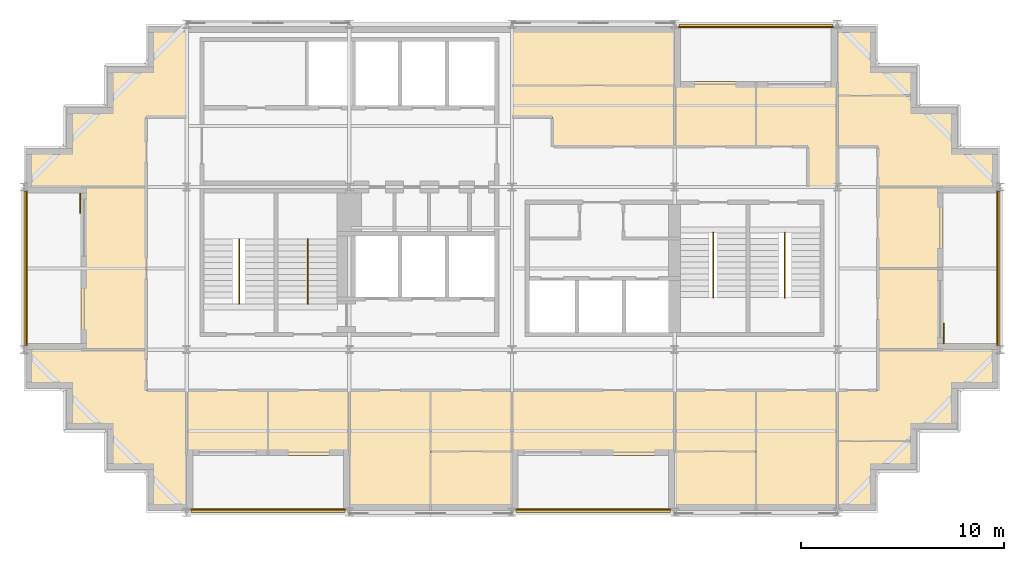
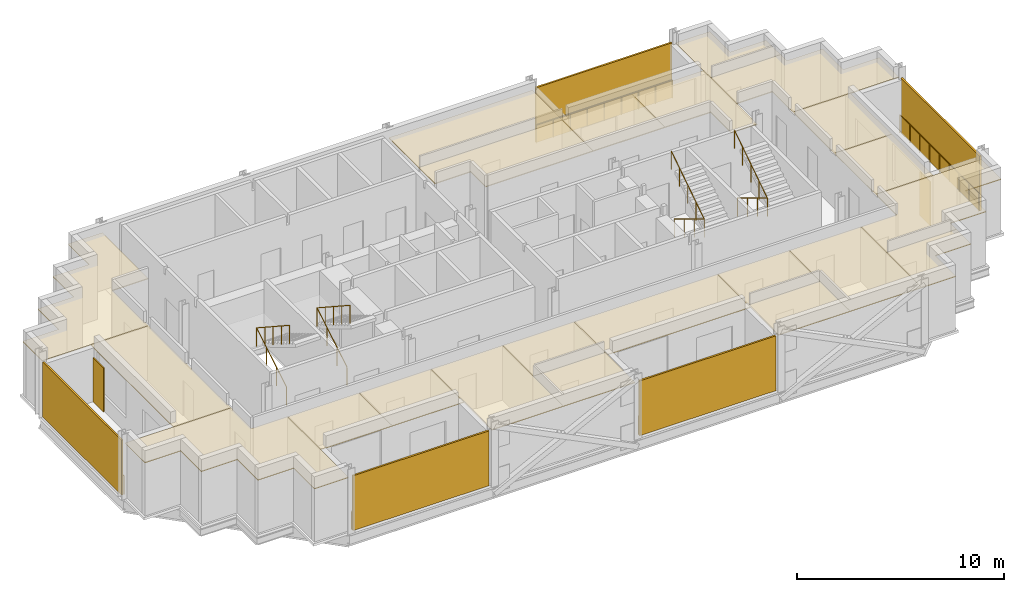
# One storey, part 9 of 9: 22 coverings, 9 railings, 7 shading devices.
"""IFC4 building model written with IfcOpenShell, lengths in metres."""

import ifcopenshell
import ifcopenshell.guid

model = None  # the IFC model being written
_history = None  # IfcOwnerHistory: only IFC2X3 demands one
_inside = {}  # id of a spatial element -> (the spatial element, [elements in it])
_under = {}  # id of a project, library or spatial element -> (it, [spatial elements below it])
_declared = {}  # id of a project -> (the project, [libraries it declares])
_typed = {}  # id of a type object -> (the type object, [elements of that type])
_made_of = {}  # id of a material, layer set ... -> (it, [elements and type objects made of it])


def new_model(schema):
    """Start an empty IFC model of exactly this schema.

    Asked for "IFC4X3", IfcOpenShell would pick the latest addendum, in which some entities
    have other attributes; the version numbers below select the first issue.
    IFC2X3 requires an IfcOwnerHistory on every rooted entity: one is made here for all.
    """
    global model, _history
    if schema == "IFC4X3":
        model = ifcopenshell.file(schema_version=(4, 3, 0, 0))
    else:
        model = ifcopenshell.file(schema=schema)
    _inside.clear()
    _under.clear()
    _declared.clear()
    _typed.clear()
    _made_of.clear()
    _history = None
    if model.schema == "IFC2X3":
        org = make("IfcOrganization", Name="unknown")
        user = make(
            "IfcPersonAndOrganization",
            ThePerson=make("IfcPerson", FamilyName="unknown"),
            TheOrganization=org,
        )
        app = make(
            "IfcApplication",
            ApplicationDeveloper=org,
            Version="unknown",
            ApplicationFullName="unknown",
            ApplicationIdentifier="unknown",
        )
        _history = make(
            "IfcOwnerHistory",
            OwningUser=user,
            OwningApplication=app,
            ChangeAction="ADDED",
            CreationDate=0,
        )
    return model


def make(cls, **values):
    """One entity of the class cls with the attributes given. An attribute that is None is left unset."""
    return model.create_entity(
        cls, **{name: value for name, value in values.items() if value is not None}
    )


def rooted(cls, **values):
    """An entity with a GlobalId (a new one), such as an element, a storey or a relation."""
    return make(cls, GlobalId=ifcopenshell.guid.new(), OwnerHistory=_history, **values)


def si_unit(unit_type, name, prefix=None):
    """IfcSIUnit, for example si_unit("LENGTHUNIT", "METRE", prefix="MILLI")."""
    return make("IfcSIUnit", UnitType=unit_type, Prefix=prefix, Name=name)


def assignment(units):
    """IfcUnitAssignment: the units of a project."""
    return None if units is None else make("IfcUnitAssignment", Units=units)


def point(xyz):
    """IfcCartesianPoint."""
    return None if xyz is None else make("IfcCartesianPoint", Coordinates=xyz)


def direction(xyz):
    """IfcDirection."""
    return None if xyz is None else make("IfcDirection", DirectionRatios=xyz)


def frame(location, z_axis=None, x_axis=None):
    """IfcAxis2Placement3D, a coordinate frame: its origin and axes. An axis left out is left unset."""
    return make(
        "IfcAxis2Placement3D",
        Location=point(location),
        Axis=direction(z_axis),
        RefDirection=direction(x_axis),
    )


def frame_2d(location, x_axis=None):
    """IfcAxis2Placement2D, a coordinate frame in the plane: its origin and x axis."""
    return make(
        "IfcAxis2Placement2D", Location=point(location), RefDirection=direction(x_axis)
    )


def origin():
    """The frame at (0, 0, 0) with its axes left unset."""
    return frame((0.0, 0.0, 0.0))


def origin_2d():
    """The frame at (0, 0) in the plane with its x axis left unset."""
    return frame_2d((0.0, 0.0))


def place(relative_to, where):
    """IfcLocalPlacement: puts the frame where relative to a parent placement (None: the world)."""
    return make(
        "IfcLocalPlacement", PlacementRelTo=relative_to, RelativePlacement=where
    )


def context(
    kind, dimensions, precision=None, world=None, true_north=None, identifier=None
):
    """IfcGeometricRepresentationContext, for example the 3D "Model" context."""
    return make(
        "IfcGeometricRepresentationContext",
        ContextIdentifier=identifier,
        ContextType=kind,
        CoordinateSpaceDimension=dimensions,
        Precision=precision,
        WorldCoordinateSystem=world,
        TrueNorth=true_north,
    )


def subcontext(parent, identifier, kind, view, scale=None):
    """IfcGeometricRepresentationSubContext, for example "Body" below "Model"."""
    return make(
        "IfcGeometricRepresentationSubContext",
        ContextIdentifier=identifier,
        ContextType=kind,
        ParentContext=parent,
        TargetScale=scale,
        TargetView=view,
    )


def project(units=None, contexts=None):
    """IfcProject with its units and contexts."""
    return rooted(
        "IfcProject",
        Name="project",
        RepresentationContexts=contexts,
        UnitsInContext=assignment(units),
    )


def spatial(cls, under=None, at=None, **own):
    """A site, building, storey or space (cls), placed at a placement, below another one or the project."""
    s = rooted(cls, ObjectPlacement=at, **own)
    if under is not None:
        _under.setdefault(under.id(), (under, []))[1].append(s)
    return s


def polyline(points):
    """IfcPolyline through the points."""
    return make("IfcPolyline", Points=[point(p) for p in points])


def profile(cls, at=None, kind="AREA", **sizes):
    """A parametric profile (cls). Its sizes go by their IFC names, for example OverallWidth=200.0."""
    return make(cls, ProfileType=kind, Position=at, **sizes)


def rectangle(**sizes):
    """IfcRectangleProfileDef."""
    return profile("IfcRectangleProfileDef", **sizes)


def circle(**sizes):
    """IfcCircleProfileDef."""
    return profile("IfcCircleProfileDef", **sizes)


def outline(outer, holes=None, kind="AREA"):
    """IfcArbitraryClosedProfileDef: a profile drawn as a closed curve; with holes, ...WithVoids."""
    if holes is None:
        return make("IfcArbitraryClosedProfileDef", ProfileType=kind, OuterCurve=outer)
    return make(
        "IfcArbitraryProfileDefWithVoids",
        ProfileType=kind,
        OuterCurve=outer,
        InnerCurves=holes,
    )


def extrude(swept, where, along, depth):
    """IfcExtrudedAreaSolid: the profile swept, set in the frame where, extruded along a direction by depth."""
    return make(
        "IfcExtrudedAreaSolid",
        SweptArea=swept,
        Position=where,
        ExtrudedDirection=direction(along),
        Depth=depth,
    )


def shape(context_of_items, identifier, shape_type, items):
    """IfcShapeRepresentation: the items that make up one representation, for example the "Body"."""
    return make(
        "IfcShapeRepresentation",
        ContextOfItems=context_of_items,
        RepresentationIdentifier=identifier,
        RepresentationType=shape_type,
        Items=items,
    )


def material(Name=None, Category=None):
    """IfcMaterial."""
    return make("IfcMaterial", Name=Name, Category=Category)


def layer(
    of_material, thickness, ventilated=None, Name=None, Category=None, Priority=None
):
    """IfcMaterialLayer: one layer of a wall or slab, of a material (None: an air gap)."""
    return make(
        "IfcMaterialLayer",
        Material=of_material,
        LayerThickness=thickness,
        IsVentilated=ventilated,
        Name=Name,
        Category=Category,
        Priority=Priority,
    )


def layer_set(layers, Name=None):
    """IfcMaterialLayerSet."""
    return make("IfcMaterialLayerSet", MaterialLayers=layers, LayerSetName=Name)


def made_of(thing, what):
    """Note that an element or type object is made of a material, layer set ...; save() writes the relation."""
    if what is not None:
        _made_of.setdefault(what.id(), (what, []))[1].append(thing)
    return thing


def type_object(cls, material=None, **own):
    """A type object (cls), such as IfcWallType, which elements share."""
    return made_of(rooted(cls, **own), material)


def element(
    cls,
    number,
    at=None,
    inside=None,
    cuts=None,
    type_object=None,
    material=None,
    context=None,
    identifier="Body",
    shape_type=None,
    held_by="IfcProductDefinitionShape",
    body=None,
    shapes=None,
    **own,
):
    """One element of the class cls, such as IfcWall. Its Tag is "e" and its number.

    at: its placement. inside: the storey or other place that contains it. cuts: it is an
    opening in that element (IfcRelVoidsElement). A single representation is given by context,
    identifier, shape_type and body (its items); several are given by shapes. held_by: the class
    of the entity that holds the representations. save() writes the other relations.
    """
    e = rooted(cls, Tag="e%d" % number, ObjectPlacement=at, **own)
    if body is not None:
        shapes = [shape(context, identifier, shape_type, body)]
    if shapes is not None:
        e.Representation = make(held_by, Representations=shapes)
    if inside is not None:
        _inside.setdefault(inside.id(), (inside, []))[1].append(e)
    if cuts is not None:
        rooted(
            "IfcRelVoidsElement", RelatingBuildingElement=cuts, RelatedOpeningElement=e
        )
    if type_object is not None:
        _typed.setdefault(type_object.id(), (type_object, []))[1].append(e)
    return made_of(e, material)


def aggregate(whole, parts):
    """IfcRelAggregates: a whole, such as a stair, and the parts it consists of."""
    return rooted("IfcRelAggregates", RelatingObject=whole, RelatedObjects=parts)


def save(model, path):
    """Write the relations noted so far, then the file.

    IfcRelAggregates (storeys below a building ...), IfcRelContainedInSpatialStructure (elements
    in a storey), IfcRelDefinesByType, IfcRelAssociatesMaterial and IfcRelDeclares: one each for
    every whole, place, type object, material and project.
    """
    for whole, parts in _under.values():
        aggregate(whole, parts)
    for where, things in _inside.values():
        rooted(
            "IfcRelContainedInSpatialStructure",
            RelatedElements=things,
            RelatingStructure=where,
        )
    for kind, things in _typed.values():
        rooted("IfcRelDefinesByType", RelatedObjects=things, RelatingType=kind)
    for what, things in _made_of.values():
        rooted("IfcRelAssociatesMaterial", RelatedObjects=things, RelatingMaterial=what)
    for by, libraries in _declared.values():
        rooted("IfcRelDeclares", RelatingContext=by, RelatedDefinitions=libraries)
    model.write(path)


model = new_model("IFC4")

# Units and contexts
model_context = context("Model", 3, precision=1e-05, world=origin(), true_north=direction((0.0, 1.0)))
body_context = subcontext(model_context, "Body", "Model", "MODEL_VIEW")
ifc_project = project(units=[si_unit("LENGTHUNIT", "METRE"), si_unit("AREAUNIT", "SQUARE_METRE"), si_unit("VOLUMEUNIT", "CUBIC_METRE"), si_unit("PLANEANGLEUNIT", "RADIAN"), si_unit("MASSUNIT", "GRAM", prefix="KILO")], contexts=[model_context])

# Site, building, storey
site_placement = place(None, origin())
site = spatial("IfcSite", under=ifc_project, at=site_placement, CompositionType="ELEMENT")
building_placement = place(site_placement, origin())
building = spatial("IfcBuilding", under=site, at=building_placement, Name="Immortelle Media Tower", CompositionType="ELEMENT")
storey_placement = place(building_placement, frame((0.0, 0.0, 225.0)))
storey = spatial("IfcBuildingStorey", under=building, at=storey_placement, Name="L48", CompositionType="ELEMENT", Elevation=225.0)

# Railings
ifc_material_1 = material(Name="Powder-coated aluminium fretwork panel, laminated glass backing", Category="aluminium")
railing_type_1 = type_object("IfcRailingType", Name="Fretwork balustrade 1100", PredefinedType="BALUSTRADE", material=ifc_material_1)
railing_1_placement = place(storey_placement, frame((8.199462890625, 0.139892578125, 0.0)))
element("IfcRailing", 1, at=railing_1_placement, inside=storey, type_object=railing_type_1, Name="Fretwork balustrade L48 S0", PredefinedType="BALUSTRADE", context=body_context, shape_type="SweptSolid", body=[
    extrude(circle(Radius=0.02490234375, at=origin_2d()), frame((0.0, 0.0, 1.0751953125), z_axis=(1.0, 0.0, 0.0), x_axis=(0.0, 1.0, 0.0)), (0.0, 0.0, 1.0), 7.59765625),
    extrude(circle(Radius=0.02001953125, at=origin_2d()), origin(), (0.0, 0.0, 1.0), 1.050048828125),
    extrude(circle(Radius=0.02001953125, at=origin_2d()), frame((0.94970703125, 0.0, 0.0)), (0.0, 0.0, 1.0), 1.050048828125),
    extrude(circle(Radius=0.02001953125, at=origin_2d()), frame((1.8994140625, 0.0, 0.0)), (0.0, 0.0, 1.0), 1.050048828125),
    extrude(circle(Radius=0.02001953125, at=origin_2d()), frame((2.84912109375, 0.0, 0.0)), (0.0, 0.0, 1.0), 1.050048828125),
    extrude(circle(Radius=0.02001953125, at=origin_2d()), frame((3.798828125, 0.0, 0.0)), (0.0, 0.0, 1.0), 1.050048828125),
    extrude(circle(Radius=0.02001953125, at=origin_2d()), frame((4.74853515625, 0.0, 0.0)), (0.0, 0.0, 1.0), 1.050048828125),
    extrude(circle(Radius=0.02001953125, at=origin_2d()), frame((5.6982421875, 0.0, 0.0)), (0.0, 0.0, 1.0), 1.050048828125),
    extrude(circle(Radius=0.02001953125, at=origin_2d()), frame((6.64794921875, 0.0, 0.0)), (0.0, 0.0, 1.0), 1.050048828125),
    extrude(circle(Radius=0.02001953125, at=origin_2d()), frame((7.59765625, 0.0, 0.0)), (0.0, 0.0, 1.0), 1.050048828125),
])
railing_2_placement = place(storey_placement, frame((24.202880859375, 0.139892578125, 0.0)))
element("IfcRailing", 2, at=railing_2_placement, inside=storey, type_object=railing_type_1, Name="Fretwork balustrade L48 S2", PredefinedType="BALUSTRADE", context=body_context, shape_type="SweptSolid", body=[
    extrude(circle(Radius=0.02490234375, at=origin_2d()), frame((0.0, 0.0, 1.0751953125), z_axis=(1.0, 0.0, 0.0), x_axis=(0.0, 1.0, 0.0)), (0.0, 0.0, 1.0), 7.59423828125),
    extrude(circle(Radius=0.02001953125, at=origin_2d()), origin(), (0.0, 0.0, 1.0), 1.050048828125),
    extrude(circle(Radius=0.02001953125, at=origin_2d()), frame((0.94921875, 0.0, 0.0)), (0.0, 0.0, 1.0), 1.050048828125),
    extrude(circle(Radius=0.02001953125, at=origin_2d()), frame((1.8984375, 0.0, 0.0)), (0.0, 0.0, 1.0), 1.050048828125),
    extrude(circle(Radius=0.02001953125, at=origin_2d()), frame((2.847900390625, 0.0, 0.0)), (0.0, 0.0, 1.0), 1.050048828125),
    extrude(circle(Radius=0.02001953125, at=origin_2d()), frame((3.797119140625, 0.0, 0.0)), (0.0, 0.0, 1.0), 1.050048828125),
    extrude(circle(Radius=0.02001953125, at=origin_2d()), frame((4.746337890625, 0.0, 0.0)), (0.0, 0.0, 1.0), 1.050048828125),
    extrude(circle(Radius=0.02001953125, at=origin_2d()), frame((5.69580078125, 0.0, 0.0)), (0.0, 0.0, 1.0), 1.050048828125),
    extrude(circle(Radius=0.02001953125, at=origin_2d()), frame((6.64501953125, 0.0, 0.0)), (0.0, 0.0, 1.0), 1.050048828125),
    extrude(circle(Radius=0.02001953125, at=origin_2d()), frame((7.59423828125, 0.0, 0.0)), (0.0, 0.0, 1.0), 1.050048828125),
])
railing_3_placement = place(storey_placement, frame((47.860107421875, 8.193115234375, 0.0)))
element("IfcRailing", 3, at=railing_3_placement, inside=storey, type_object=railing_type_1, Name="Fretwork balustrade L48 E0", PredefinedType="BALUSTRADE", context=body_context, shape_type="SweptSolid", body=[
    extrude(circle(Radius=0.02490234375, at=origin_2d()), frame((0.0, 0.0, 1.0751953125), z_axis=(0.0, 1.0, 0.0), x_axis=(-1.0, 0.0, 0.0)), (0.0, 0.0, 1.0), 7.61376953125),
    extrude(circle(Radius=0.02001953125, at=origin_2d()), origin(), (0.0, 0.0, 1.0), 1.050048828125),
    extrude(circle(Radius=0.02001953125, at=origin_2d()), frame((0.0, 0.95166015625, 0.0)), (0.0, 0.0, 1.0), 1.050048828125),
    extrude(circle(Radius=0.02001953125, at=origin_2d()), frame((0.0, 1.9033203125, 0.0)), (0.0, 0.0, 1.0), 1.050048828125),
    extrude(circle(Radius=0.02001953125, at=origin_2d()), frame((0.0, 2.855224609375, 0.0)), (0.0, 0.0, 1.0), 1.050048828125),
    extrude(circle(Radius=0.02001953125, at=origin_2d()), frame((0.0, 3.806884765625, 0.0)), (0.0, 0.0, 1.0), 1.050048828125),
    extrude(circle(Radius=0.02001953125, at=origin_2d()), frame((0.0, 4.758544921875, 0.0)), (0.0, 0.0, 1.0), 1.050048828125),
    extrude(circle(Radius=0.02001953125, at=origin_2d()), frame((0.0, 5.71044921875, 0.0)), (0.0, 0.0, 1.0), 1.050048828125),
    extrude(circle(Radius=0.02001953125, at=origin_2d()), frame((0.0, 6.662109375, 0.0)), (0.0, 0.0, 1.0), 1.050048828125),
    extrude(circle(Radius=0.02001953125, at=origin_2d()), frame((0.0, 7.61376953125, 0.0)), (0.0, 0.0, 1.0), 1.050048828125),
])
railing_4_placement = place(storey_placement, frame((39.800537109375, 23.860107421875, 0.0)))
element("IfcRailing", 4, at=railing_4_placement, inside=storey, type_object=railing_type_1, Name="Fretwork balustrade L48 N0", PredefinedType="BALUSTRADE", context=body_context, shape_type="SweptSolid", body=[
    extrude(circle(Radius=0.02490234375, at=origin_2d()), frame((0.0, 0.0, 1.0751953125), z_axis=(-1.0, 0.0, 0.0), x_axis=(0.0, -1.0, 0.0)), (0.0, 0.0, 1.0), 7.59765625),
    extrude(circle(Radius=0.02001953125, at=origin_2d()), origin(), (0.0, 0.0, 1.0), 1.050048828125),
    extrude(circle(Radius=0.02001953125, at=origin_2d()), frame((-0.94970703125, 0.0, 0.0)), (0.0, 0.0, 1.0), 1.050048828125),
    extrude(circle(Radius=0.02001953125, at=origin_2d()), frame((-1.8994140625, 0.0, 0.0)), (0.0, 0.0, 1.0), 1.050048828125),
    extrude(circle(Radius=0.02001953125, at=origin_2d()), frame((-2.84912109375, 0.0, 0.0)), (0.0, 0.0, 1.0), 1.050048828125),
    extrude(circle(Radius=0.02001953125, at=origin_2d()), frame((-3.798828125, 0.0, 0.0)), (0.0, 0.0, 1.0), 1.050048828125),
    extrude(circle(Radius=0.02001953125, at=origin_2d()), frame((-4.74853515625, 0.0, 0.0)), (0.0, 0.0, 1.0), 1.050048828125),
    extrude(circle(Radius=0.02001953125, at=origin_2d()), frame((-5.6982421875, 0.0, 0.0)), (0.0, 0.0, 1.0), 1.050048828125),
    extrude(circle(Radius=0.02001953125, at=origin_2d()), frame((-6.64794921875, 0.0, 0.0)), (0.0, 0.0, 1.0), 1.050048828125),
    extrude(circle(Radius=0.02001953125, at=origin_2d()), frame((-7.59765625, 0.0, 0.0)), (0.0, 0.0, 1.0), 1.050048828125),
])
railing_5_placement = place(storey_placement, frame((0.139892578125, 15.806884765625, 0.0)))
element("IfcRailing", 5, at=railing_5_placement, inside=storey, type_object=railing_type_1, Name="Fretwork balustrade L48 W0", PredefinedType="BALUSTRADE", context=body_context, shape_type="SweptSolid", body=[
    extrude(circle(Radius=0.02490234375, at=origin_2d()), frame((0.0, 0.0, 1.0751953125), z_axis=(0.0, -1.0, 0.0), x_axis=(1.0, 0.0, 0.0)), (0.0, 0.0, 1.0), 7.61376953125),
    extrude(circle(Radius=0.02001953125, at=origin_2d()), origin(), (0.0, 0.0, 1.0), 1.050048828125),
    extrude(circle(Radius=0.02001953125, at=origin_2d()), frame((0.0, -0.95166015625, 0.0)), (0.0, 0.0, 1.0), 1.050048828125),
    extrude(circle(Radius=0.02001953125, at=origin_2d()), frame((0.0, -1.9033203125, 0.0)), (0.0, 0.0, 1.0), 1.050048828125),
    extrude(circle(Radius=0.02001953125, at=origin_2d()), frame((0.0, -2.855224609375, 0.0)), (0.0, 0.0, 1.0), 1.050048828125),
    extrude(circle(Radius=0.02001953125, at=origin_2d()), frame((0.0, -3.806884765625, 0.0)), (0.0, 0.0, 1.0), 1.050048828125),
    extrude(circle(Radius=0.02001953125, at=origin_2d()), frame((0.0, -4.758544921875, 0.0)), (0.0, 0.0, 1.0), 1.050048828125),
    extrude(circle(Radius=0.02001953125, at=origin_2d()), frame((0.0, -5.71044921875, 0.0)), (0.0, 0.0, 1.0), 1.050048828125),
    extrude(circle(Radius=0.02001953125, at=origin_2d()), frame((0.0, -6.662109375, 0.0)), (0.0, 0.0, 1.0), 1.050048828125),
    extrude(circle(Radius=0.02001953125, at=origin_2d()), frame((0.0, -7.61376953125, 0.0)), (0.0, 0.0, 1.0), 1.050048828125),
])

# Shading devices
ifc_material_2 = material(Name="Pale aluminium louvre blades", Category="aluminium")
ifc_layer_1 = layer(ifc_material_2, 0.10009765625)
ifc_layer_set_1 = layer_set([ifc_layer_1], Name="Pale aluminium louvre blades")
shading_device_type_1 = type_object("IfcShadingDeviceType", Name="Jalousie screen 100", PredefinedType="JALOUSIE", material=ifc_layer_set_1)
shading_device_1_placement = place(storey_placement, frame((11.998291015625, 0.050048828125, 0.0), z_axis=(0.0, 0.0, 1.0), x_axis=(1.0, 0.0, 0.0)))
element("IfcShadingDevice", 6, at=shading_device_1_placement, inside=storey, type_object=shading_device_type_1, Name="Jalousie screen L48 S0", PredefinedType="JALOUSIE", context=body_context, shape_type="SweptSolid", body=[
    extrude(rectangle(XDim=7.597412109375, YDim=0.10009765625, at=origin_2d()), origin(), (0.0, 0.0, 1.0), 3.238037109375),
])
shading_device_2_placement = place(storey_placement, frame((28.0, 0.050048828125, 0.0), z_axis=(0.0, 0.0, 1.0), x_axis=(1.0, 0.0, 0.0)))
element("IfcShadingDevice", 7, at=shading_device_2_placement, inside=storey, type_object=shading_device_type_1, Name="Jalousie screen L48 S2", PredefinedType="JALOUSIE", context=body_context, shape_type="SweptSolid", body=[
    extrude(rectangle(XDim=7.593994140625, YDim=0.10009765625, at=origin_2d()), origin(), (0.0, 0.0, 1.0), 3.238037109375),
])
shading_device_3_placement = place(storey_placement, frame((47.949951171875, 12.0, 0.0), z_axis=(0.0, 0.0, 1.0), x_axis=(0.0, 1.0, 0.0)))
element("IfcShadingDevice", 8, at=shading_device_3_placement, inside=storey, type_object=shading_device_type_1, Name="Jalousie screen L48 E0", PredefinedType="JALOUSIE", context=body_context, shape_type="SweptSolid", body=[
    extrude(rectangle(XDim=7.614013671875, YDim=0.10009765625, at=origin_2d()), origin(), (0.0, 0.0, 1.0), 3.238037109375),
])
shading_device_4_placement = place(storey_placement, frame((36.001708984375, 23.949951171875, 0.0), z_axis=(0.0, 0.0, 1.0), x_axis=(-1.0, 0.0, 0.0)))
element("IfcShadingDevice", 9, at=shading_device_4_placement, inside=storey, type_object=shading_device_type_1, Name="Jalousie screen L48 N0", PredefinedType="JALOUSIE", context=body_context, shape_type="SweptSolid", body=[
    extrude(rectangle(XDim=7.597412109375, YDim=0.10009765625, at=origin_2d()), origin(), (0.0, 0.0, 1.0), 3.238037109375),
])
shading_device_5_placement = place(storey_placement, frame((0.050048828125, 12.0, 0.0), z_axis=(0.0, 0.0, 1.0), x_axis=(0.0, -1.0, 0.0)))
element("IfcShadingDevice", 10, at=shading_device_5_placement, inside=storey, type_object=shading_device_type_1, Name="Jalousie screen L48 W0", PredefinedType="JALOUSIE", context=body_context, shape_type="SweptSolid", body=[
    extrude(rectangle(XDim=7.614013671875, YDim=0.10009765625, at=origin_2d()), origin(), (0.0, 0.0, 1.0), 3.238037109375),
])
ifc_material_3 = material(Name="Pale aluminium louvre blades in a folding frame", Category="aluminium")
ifc_layer_2 = layer(ifc_material_3, 0.050048828125)
ifc_layer_set_2 = layer_set([ifc_layer_2], Name="Pale aluminium louvre blades in a folding frame")
shading_device_type_2 = type_object("IfcShadingDeviceType", Name="Louvred loggia shutter", PredefinedType="SHUTTER", material=ifc_layer_set_2)
for number, where, z_axis, x_axis, name in (
    (11, (45.22509765625, 8.800048828125, 0.0), (0.0, 0.0, 1.0), (0.0, 1.0, 0.0), "Loggia shutter L48 E0"),
    (12, (2.77490234375, 15.199951171875, 0.0), (0.0, 0.0, 1.0), (0.0, -1.0, 0.0), "Loggia shutter L48 W0"),
):
    element("IfcShadingDevice", number, at=place(storey_placement, frame(where, z_axis=z_axis, x_axis=x_axis)), inside=storey, type_object=shading_device_type_2, Name=name, PredefinedType="SHUTTER", context=body_context, shape_type="SweptSolid", body=[
        extrude(rectangle(XDim=1.0, YDim=0.050048828125, at=origin_2d()), origin(), (0.0, 0.0, 1.0), 2.60009765625),
    ])

# Railings
ifc_material_4 = material(Name="Stainless steel AISI 316", Category="steel")
railing_type_2 = type_object("IfcRailingType", Name="Stair guard 1100", PredefinedType="GUARDRAIL", material=ifc_material_4)
for number, where, name in (
    (13, (10.574951171875, 10.5400390625, 0.173828125), "Stair guard SW1"),
    (14, (13.949951171875, 10.5400390625, 0.173828125), "Stair guard SW2"),
):
    element("IfcRailing", number, at=place(storey_placement, frame(where)), inside=storey, type_object=railing_type_2, Name=name, PredefinedType="GUARDRAIL", context=body_context, shape_type="SweptSolid", body=[
        extrude(circle(Radius=0.02392578125, at=origin_2d()), frame((0.0, 0.0, 1.076171875), z_axis=(0.0, 0.857582100076, 0.514347102285), x_axis=(-1.0, 0.0, 0.0)), (0.0, 0.0, 1.0), 3.381591796875),
        extrude(circle(Radius=0.02392578125, at=origin_2d()), frame((0.0, 2.89990234375, 2.8154296875), z_axis=(0.0, -0.836827423118, 0.547466769693), x_axis=(1.0, 0.0, 0.0)), (0.0, 0.0, 1.0), 3.81201171875),
        extrude(circle(Radius=0.02099609375, at=origin_2d()), origin(), (0.0, 0.0, 1.0), 1.052001953125),
        extrude(circle(Radius=0.02099609375, at=origin_2d()), frame((0.0, 0.966552734375, 0.579833984375)), (0.0, 0.0, 1.0), 1.052001953125),
        extrude(circle(Radius=0.02099609375, at=origin_2d()), frame((0.0, 1.933349609375, 1.159423828125)), (0.0, 0.0, 1.0), 1.052001953125),
        extrude(circle(Radius=0.02099609375, at=origin_2d()), frame((0.0, 2.89990234375, 1.7392578125)), (0.0, 0.0, 1.0), 1.052001953125),
        extrude(circle(Radius=0.02099609375, at=origin_2d()), frame((0.0, 2.1025390625, 2.260986328125)), (0.0, 0.0, 1.0), 1.052001953125),
        extrude(circle(Radius=0.02099609375, at=origin_2d()), frame((0.0, 1.304931640625, 2.78271484375)), (0.0, 0.0, 1.0), 1.052001953125),
        extrude(circle(Radius=0.02099609375, at=origin_2d()), frame((0.0, 0.50732421875, 3.304443359375)), (0.0, 0.0, 1.0), 1.052001953125),
        extrude(circle(Radius=0.02099609375, at=origin_2d()), frame((0.0, -0.2900390625, 3.826171875)), (0.0, 0.0, 1.0), 1.052001953125),
    ])
for number, where, name in (
    (15, (33.89990234375, 13.4599609375, 0.173828125), "Stair guard SE1"),
    (16, (37.425048828125, 13.4599609375, 0.173828125), "Stair guard SE2"),
):
    element("IfcRailing", number, at=place(storey_placement, frame(where)), inside=storey, type_object=railing_type_2, Name=name, PredefinedType="GUARDRAIL", context=body_context, shape_type="SweptSolid", body=[
        extrude(circle(Radius=0.02392578125, at=origin_2d()), frame((0.0, 0.0, 1.076171875), z_axis=(0.0, -0.857582100076, 0.514347102285), x_axis=(1.0, 0.0, 0.0)), (0.0, 0.0, 1.0), 3.381591796875),
        extrude(circle(Radius=0.02392578125, at=origin_2d()), frame((0.0, -2.89990234375, 2.8154296875), z_axis=(0.0, 0.836827423118, 0.547466769693), x_axis=(-1.0, 0.0, 0.0)), (0.0, 0.0, 1.0), 3.81201171875),
        extrude(circle(Radius=0.02099609375, at=origin_2d()), origin(), (0.0, 0.0, 1.0), 1.052001953125),
        extrude(circle(Radius=0.02099609375, at=origin_2d()), frame((0.0, -0.966552734375, 0.579833984375)), (0.0, 0.0, 1.0), 1.052001953125),
        extrude(circle(Radius=0.02099609375, at=origin_2d()), frame((0.0, -1.933349609375, 1.159423828125)), (0.0, 0.0, 1.0), 1.052001953125),
        extrude(circle(Radius=0.02099609375, at=origin_2d()), frame((0.0, -2.89990234375, 1.7392578125)), (0.0, 0.0, 1.0), 1.052001953125),
        extrude(circle(Radius=0.02099609375, at=origin_2d()), frame((0.0, -2.1025390625, 2.260986328125)), (0.0, 0.0, 1.0), 1.052001953125),
        extrude(circle(Radius=0.02099609375, at=origin_2d()), frame((0.0, -1.304931640625, 2.78271484375)), (0.0, 0.0, 1.0), 1.052001953125),
        extrude(circle(Radius=0.02099609375, at=origin_2d()), frame((0.0, -0.50732421875, 3.304443359375)), (0.0, 0.0, 1.0), 1.052001953125),
        extrude(circle(Radius=0.02099609375, at=origin_2d()), frame((0.0, 0.2900390625, 3.826171875)), (0.0, 0.0, 1.0), 1.052001953125),
    ])

# Coverings
ifc_material_5 = material(Name="Mineral fibre tile ceiling")
ifc_layer_3 = layer(ifc_material_5, 0.050048828125)
ifc_layer_set_3 = layer_set([ifc_layer_3], Name="Mineral fibre tile ceiling")
covering_type = type_object("IfcCoveringType", Name="Suspended ceiling 50", PredefinedType="CEILING", material=ifc_layer_set_3)
covering_1_placement = place(storey_placement, frame((0.0, 0.0, 3.1220703125)))
element("IfcCovering", 17, at=covering_1_placement, inside=storey, type_object=covering_type, Name="Ceiling L48-001", PredefinedType="CEILING", context=body_context, shape_type="SweptSolid", body=[
    extrude(outline(polyline([(16.0, 2.800048828125), (16.0, 6.0), (20.0, 6.0), (20.0, 0.10009765625), (16.0, 0.10009765625), (16.0, 2.800048828125)])), origin(), (0.0, 0.0, 1.0), 0.050048828125),
])
covering_2_placement = place(storey_placement, frame((0.0, 0.0, 3.1220703125)))
element("IfcCovering", 18, at=covering_2_placement, inside=storey, type_object=covering_type, Name="Ceiling L48-002", PredefinedType="CEILING", context=body_context, shape_type="SweptSolid", body=[
    extrude(outline(polyline([(24.0, 3.0), (20.0, 3.0), (20.0, 6.0), (24.0, 6.0), (24.0, 3.0)])), origin(), (0.0, 0.0, 1.0), 0.050048828125),
])
covering_3_placement = place(storey_placement, frame((0.0, 0.0, 3.1220703125)))
element("IfcCovering", 19, at=covering_3_placement, inside=storey, type_object=covering_type, Name="Ceiling L48-003", PredefinedType="CEILING", context=body_context, shape_type="SweptSolid", body=[
    extrude(outline(polyline([(24.0, 2.800048828125), (24.0, 0.10009765625), (20.0, 0.10009765625), (20.0, 3.0), (24.0, 3.0), (24.0, 2.800048828125)])), origin(), (0.0, 0.0, 1.0), 0.050048828125),
])
covering_4_placement = place(storey_placement, frame((0.0, 0.0, 3.1220703125)))
element("IfcCovering", 20, at=covering_4_placement, inside=storey, type_object=covering_type, Name="Ceiling L48-004", PredefinedType="CEILING", context=body_context, shape_type="SweptSolid", body=[
    extrude(outline(polyline([(32.0, 6.0), (36.0, 6.0), (36.0, 3.0), (32.0, 3.0), (32.0, 6.0)])), origin(), (0.0, 0.0, 1.0), 0.050048828125),
])
covering_5_placement = place(storey_placement, frame((0.0, 0.0, 3.1220703125)))
element("IfcCovering", 21, at=covering_5_placement, inside=storey, type_object=covering_type, Name="Ceiling L48-005", PredefinedType="CEILING", context=body_context, shape_type="SweptSolid", body=[
    extrude(outline(polyline([(32.0, 3.0), (36.0, 3.0), (36.0, 0.10009765625), (32.0, 0.10009765625), (32.0, 2.800048828125), (32.0, 3.0)])), origin(), (0.0, 0.0, 1.0), 0.050048828125),
])
covering_6_placement = place(storey_placement, frame((0.0, 0.0, 3.1220703125)))
element("IfcCovering", 22, at=covering_6_placement, inside=storey, type_object=covering_type, Name="Ceiling L48-006", PredefinedType="CEILING", context=body_context, shape_type="SweptSolid", body=[
    extrude(outline(polyline([(40.0, 6.0), (40.0, 0.10009765625), (36.0, 0.10009765625), (36.0, 6.0), (40.0, 6.0)])), origin(), (0.0, 0.0, 1.0), 0.050048828125),
])
covering_7_placement = place(storey_placement, frame((0.0, 0.0, 3.1220703125)))
element("IfcCovering", 23, at=covering_7_placement, inside=storey, type_object=covering_type, Name="Ceiling L48-007", PredefinedType="CEILING", context=body_context, shape_type="SweptSolid", body=[
    extrude(outline(polyline([(8.0, 6.0), (12.0, 6.0), (12.0, 2.800048828125), (8.0, 2.800048828125), (8.0, 6.0)])), origin(), (0.0, 0.0, 1.0), 0.050048828125),
])
covering_8_placement = place(storey_placement, frame((0.0, 0.0, 3.1220703125)))
element("IfcCovering", 24, at=covering_8_placement, inside=storey, type_object=covering_type, Name="Ceiling L48-008", PredefinedType="CEILING", context=body_context, shape_type="SweptSolid", body=[
    extrude(outline(polyline([(16.0, 6.0), (16.0, 2.800048828125), (12.0, 2.800048828125), (12.0, 6.0), (16.0, 6.0)])), origin(), (0.0, 0.0, 1.0), 0.050048828125),
])
covering_9_placement = place(storey_placement, frame((0.0, 0.0, 3.1220703125)))
element("IfcCovering", 25, at=covering_9_placement, inside=storey, type_object=covering_type, Name="Ceiling L48-009", PredefinedType="CEILING", context=body_context, shape_type="SweptSolid", body=[
    extrude(outline(polyline([(24.0, 2.800048828125), (24.0, 6.0), (26.0, 6.0), (32.0, 6.0), (32.0, 2.800048828125), (24.0, 2.800048828125)])), origin(), (0.0, 0.0, 1.0), 0.050048828125),
])
covering_10_placement = place(storey_placement, frame((0.0, 0.0, 3.1220703125)))
element("IfcCovering", 26, at=covering_10_placement, inside=storey, type_object=covering_type, Name="Ceiling L48-010", PredefinedType="CEILING", context=body_context, shape_type="SweptSolid", body=[
    extrude(outline(polyline([(6.10009765625, 0.10009765625), (6.10009765625, 2.10009765625), (4.10009765625, 2.10009765625), (4.10009765625, 4.10009765625), (2.10009765625, 4.10009765625), (2.10009765625, 6.10009765625), (0.10009765625, 6.10009765625), (0.10009765625, 8.0), (2.800048828125, 8.0), (6.0, 8.0), (6.0, 6.0), (8.0, 6.0), (8.0, 2.800048828125), (8.0, 0.10009765625), (6.10009765625, 0.10009765625)])), origin(), (0.0, 0.0, 1.0), 0.050048828125),
])
covering_11_placement = place(storey_placement, frame((0.0, 0.0, 3.1220703125)))
element("IfcCovering", 27, at=covering_11_placement, inside=storey, type_object=covering_type, Name="Ceiling L48-011", PredefinedType="CEILING", context=body_context, shape_type="SweptSolid", body=[
    extrude(outline(polyline([(40.0, 6.0), (42.0, 6.0), (42.0, 8.0), (44.0, 8.0), (45.199951171875, 8.0), (47.89990234375, 8.0), (47.89990234375, 6.10009765625), (45.89990234375, 6.10009765625), (45.89990234375, 4.10009765625), (44.0, 4.10009765625), (43.89990234375, 4.10009765625), (43.89990234375, 3.5), (40.0, 3.5), (40.0, 6.0)])), origin(), (0.0, 0.0, 1.0), 0.050048828125),
])
covering_12_placement = place(storey_placement, frame((0.0, 0.0, 3.1220703125)))
element("IfcCovering", 28, at=covering_12_placement, inside=storey, type_object=covering_type, Name="Ceiling L48-012", PredefinedType="CEILING", context=body_context, shape_type="SweptSolid", body=[
    extrude(outline(polyline([(41.89990234375, 2.10009765625), (41.89990234375, 0.10009765625), (40.0, 0.10009765625), (40.0, 3.5), (43.89990234375, 3.5), (43.89990234375, 2.10009765625), (41.89990234375, 2.10009765625)])), origin(), (0.0, 0.0, 1.0), 0.050048828125),
])
covering_13_placement = place(storey_placement, frame((0.0, 0.0, 3.1220703125)))
element("IfcCovering", 29, at=covering_13_placement, inside=storey, type_object=covering_type, Name="Ceiling L48-013", PredefinedType="CEILING", context=body_context, shape_type="SweptSolid", body=[
    extrude(outline(polyline([(6.0, 8.0), (2.800048828125, 8.0), (2.800048828125, 16.0), (6.0, 16.0), (6.0, 8.0)])), origin(), (0.0, 0.0, 1.0), 0.050048828125),
])
covering_14_placement = place(storey_placement, frame((0.0, 0.0, 3.1220703125)))
element("IfcCovering", 30, at=covering_14_placement, inside=storey, type_object=covering_type, Name="Ceiling L48-014", PredefinedType="CEILING", context=body_context, shape_type="SweptSolid", body=[
    extrude(outline(polyline([(42.0, 8.0), (42.0, 12.0), (45.199951171875, 12.0), (45.199951171875, 8.0), (42.0, 8.0)])), origin(), (0.0, 0.0, 1.0), 0.050048828125),
])
covering_15_placement = place(storey_placement, frame((0.0, 0.0, 3.1220703125)))
element("IfcCovering", 31, at=covering_15_placement, inside=storey, type_object=covering_type, Name="Ceiling L48-015", PredefinedType="CEILING", context=body_context, shape_type="SweptSolid", body=[
    extrude(outline(polyline([(42.0, 16.0), (45.199951171875, 16.0), (45.199951171875, 12.0), (42.0, 12.0), (42.0, 16.0)])), origin(), (0.0, 0.0, 1.0), 0.050048828125),
])
covering_16_placement = place(storey_placement, frame((0.0, 0.0, 3.1220703125)))
element("IfcCovering", 32, at=covering_16_placement, inside=storey, type_object=covering_type, Name="Ceiling L48-016", PredefinedType="CEILING", context=body_context, shape_type="SweptSolid", body=[
    extrude(outline(polyline([(2.800048828125, 16.0), (0.10009765625, 16.0), (0.10009765625, 17.89990234375), (2.10009765625, 17.89990234375), (2.10009765625, 19.89990234375), (4.10009765625, 19.89990234375), (4.10009765625, 20.0), (4.10009765625, 21.89990234375), (6.10009765625, 21.89990234375), (6.10009765625, 23.89990234375), (8.0, 23.89990234375), (8.0, 20.0), (8.0, 19.449951171875), (6.0, 19.449951171875), (6.0, 16.0), (2.800048828125, 16.0)])), origin(), (0.0, 0.0, 1.0), 0.050048828125),
])
covering_17_placement = place(storey_placement, frame((0.0, 0.0, 3.1220703125)))
element("IfcCovering", 33, at=covering_17_placement, inside=storey, type_object=covering_type, Name="Ceiling L48-017", PredefinedType="CEILING", context=body_context, shape_type="SweptSolid", body=[
    extrude(outline(polyline([(45.89990234375, 17.89990234375), (47.89990234375, 17.89990234375), (47.89990234375, 16.0), (45.199951171875, 16.0), (44.0, 16.0), (42.0, 16.0), (42.0, 18.0), (40.0, 18.0), (40.0, 20.5), (43.89990234375, 20.5), (43.89990234375, 19.89990234375), (44.0, 19.89990234375), (45.89990234375, 19.89990234375), (45.89990234375, 17.89990234375)])), origin(), (0.0, 0.0, 1.0), 0.050048828125),
])
covering_18_placement = place(storey_placement, frame((0.0, 0.0, 3.1220703125)))
element("IfcCovering", 34, at=covering_18_placement, inside=storey, type_object=covering_type, Name="Ceiling L48-018", PredefinedType="CEILING", context=body_context, shape_type="SweptSolid", body=[
    extrude(outline(polyline([(40.0, 21.199951171875), (40.0, 23.89990234375), (41.89990234375, 23.89990234375), (41.89990234375, 21.89990234375), (43.89990234375, 21.89990234375), (43.89990234375, 20.5), (40.0, 20.5), (40.0, 21.199951171875)])), origin(), (0.0, 0.0, 1.0), 0.050048828125),
])
covering_19_placement = place(storey_placement, frame((0.0, 0.0, 3.1220703125)))
element("IfcCovering", 35, at=covering_19_placement, inside=storey, type_object=covering_type, Name="Ceiling L48-019", PredefinedType="CEILING", context=body_context, shape_type="SweptSolid", body=[
    extrude(outline(polyline([(32.0, 18.0), (32.0, 21.199951171875), (36.0, 21.199951171875), (36.0, 18.0), (32.0, 18.0)])), origin(), (0.0, 0.0, 1.0), 0.050048828125),
])
covering_20_placement = place(storey_placement, frame((0.0, 0.0, 3.1220703125)))
element("IfcCovering", 36, at=covering_20_placement, inside=storey, type_object=covering_type, Name="Ceiling L48-020", PredefinedType="CEILING", context=body_context, shape_type="SweptSolid", body=[
    extrude(outline(polyline([(38.550048828125, 18.0), (36.0, 18.0), (36.0, 21.199951171875), (40.0, 21.199951171875), (40.0, 18.0), (40.0, 16.0), (38.550048828125, 16.0), (38.550048828125, 18.0)])), origin(), (0.0, 0.0, 1.0), 0.050048828125),
])
covering_21_placement = place(storey_placement, frame((0.0, 0.0, 3.1220703125)))
element("IfcCovering", 37, at=covering_21_placement, inside=storey, type_object=covering_type, Name="Ceiling L48-021", PredefinedType="CEILING", context=body_context, shape_type="SweptSolid", body=[
    extrude(outline(polyline([(26.0, 18.0), (26.0, 19.449951171875), (24.0, 19.449951171875), (24.0, 21.0), (32.0, 21.0), (32.0, 18.0), (27.0, 18.0), (26.0, 18.0)])), origin(), (0.0, 0.0, 1.0), 0.050048828125),
])
covering_22_placement = place(storey_placement, frame((0.0, 0.0, 3.1220703125)))
element("IfcCovering", 38, at=covering_22_placement, inside=storey, type_object=covering_type, Name="Ceiling L48-022", PredefinedType="CEILING", context=body_context, shape_type="SweptSolid", body=[
    extrude(outline(polyline([(24.0, 21.199951171875), (24.0, 23.89990234375), (32.0, 23.89990234375), (32.0, 21.199951171875), (32.0, 21.0), (24.0, 21.0), (24.0, 21.199951171875)])), origin(), (0.0, 0.0, 1.0), 0.050048828125),
])

save(model, "model.ifc")
